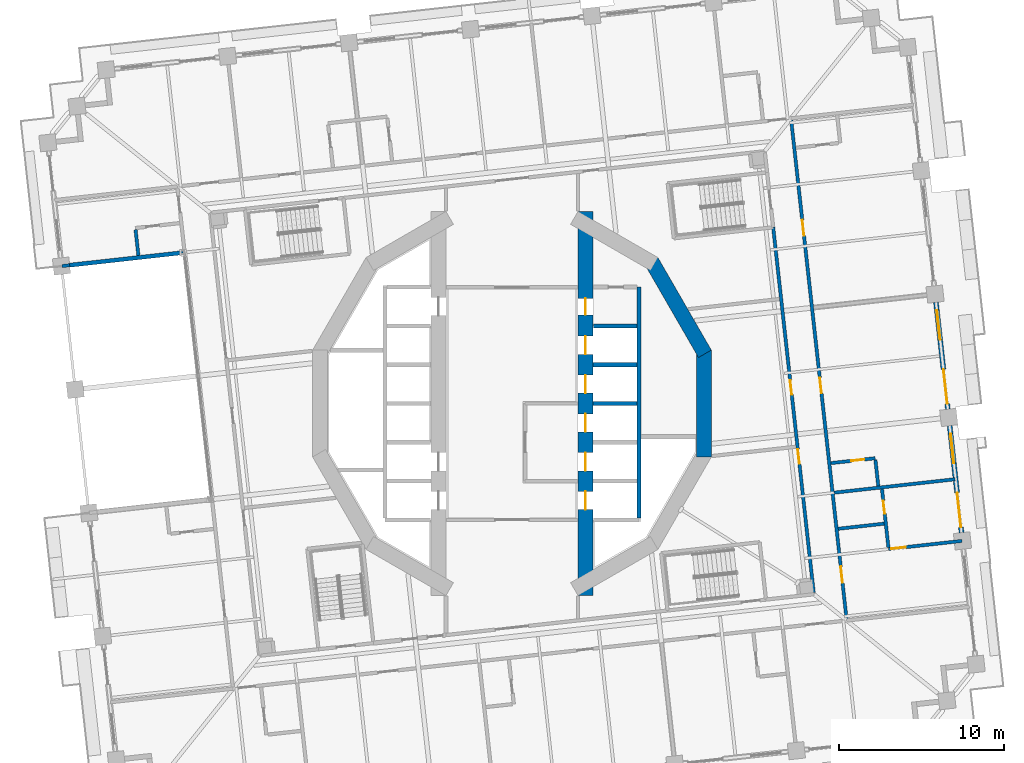
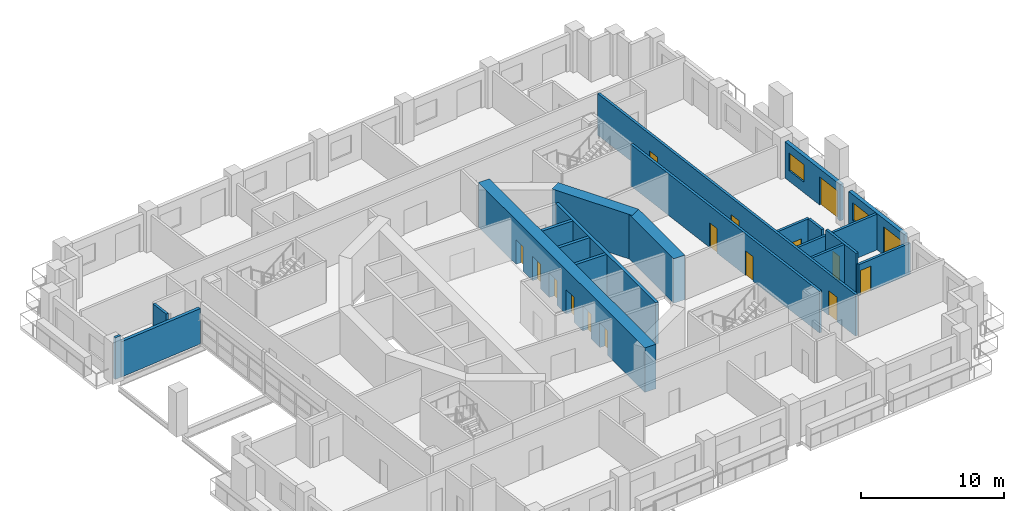
# One storey, part 10 of 21: 20 walls, 16 doors, 2 windows, 18 openings.
"""IFC4 building model written with IfcOpenShell, lengths in metres."""

from ifc_helpers import new_model, si_unit, direction, frame, frame_2d, origin, place, context, subcontext, project, spatial, rectangle, extrude, material, layer, layer_set, type_object, element, fill, save


model = new_model("IFC4")

# Units and contexts
model_context = context("Model", 3, precision=1e-05, world=origin(), true_north=direction((0.0, 1.0)))
body_context = subcontext(model_context, "Body", "Model", "MODEL_VIEW")
ifc_project = project(units=[si_unit("LENGTHUNIT", "METRE"), si_unit("AREAUNIT", "SQUARE_METRE"), si_unit("VOLUMEUNIT", "CUBIC_METRE"), si_unit("PLANEANGLEUNIT", "RADIAN"), si_unit("MASSUNIT", "GRAM", prefix="KILO")], contexts=[model_context])

# Site, building, storey
site_placement = place(None, origin())
site = spatial("IfcSite", under=ifc_project, at=site_placement, CompositionType="ELEMENT")
building_placement = place(site_placement, origin())
building = spatial("IfcBuilding", under=site, at=building_placement, Name="Cantera Rosa Tower", CompositionType="ELEMENT")
storey_placement = place(building_placement, frame((0.0, 0.0, 69.10009765625)))
storey = spatial("IfcBuildingStorey", under=building, at=storey_placement, Name="L14", CompositionType="ELEMENT", Elevation=69.10009765625)

# Wall, openings, doors
ifc_material_1 = material(Name="Gypsum board partition")
ifc_layer_1 = layer(ifc_material_1, 0.199951171875)
ifc_layer_set_1 = layer_set([ifc_layer_1], Name="CORRIDOR WALL 200 H3550")
wall_type_1 = type_object("IfcWallType", Name="CORRIDOR WALL 200 H3550", PredefinedType="PARTITIONING", material=ifc_layer_set_1)
wall_1_placement = place(storey_placement, frame((18.27490234375, -11.453857421875, 0.0), z_axis=(0.0, 0.0, 1.0), x_axis=(-0.110303935969, 0.993897903061, 0.0)))
wall_1 = element("IfcWall", 1, at=wall_1_placement, inside=storey, type_object=wall_type_1, Name="CORRIDOR WALL L14-099", PredefinedType="PARTITIONING", context=body_context, shape_type="SweptSolid", body=[
    extrude(rectangle(XDim=22.26171875, YDim=0.199951171875, at=frame_2d((11.130859375, 0.0))), origin(), (0.0, 0.0, 1.0), 3.5498046875),
])
opening_1_placement = place(wall_1_placement, frame((12.050048828125, 0.0, 0.0)))
opening_1 = element("IfcOpeningElement", 2, at=opening_1_placement, cuts=wall_1, Name="Opening L14-005", PredefinedType="OPENING", context=body_context, shape_type="SweptSolid", body=[
    extrude(rectangle(XDim=0.89990234375, YDim=2.10009765625, at=frame_2d((0.449951171875, 1.050048828125))), frame((0.0, 0.10986328125, 0.0), z_axis=(0.0, -1.0, 0.0), x_axis=(1.0, 0.0, 0.0)), (0.0, 0.0, 1.0), 0.219970703125),
])
opening_2_placement = place(wall_1_placement, frame((7.842529296875, 0.0, 0.0)))
opening_2 = element("IfcOpeningElement", 3, at=opening_2_placement, cuts=wall_1, Name="Opening L14-011", PredefinedType="OPENING", context=body_context, shape_type="SweptSolid", body=[
    extrude(rectangle(XDim=0.89990234375, YDim=2.10009765625, at=frame_2d((0.449951171875, 1.050048828125))), frame((0.0, 0.10986328125, 0.0), z_axis=(0.0, -1.0, 0.0), x_axis=(1.0, 0.0, 0.0)), (0.0, 0.0, 1.0), 0.219970703125),
])
ifc_material_2 = material(Name="Timber door leaf", Category="wood")
door_type_1 = type_object("IfcDoorType", Name="SERVICE DOOR 900x2100", OperationType="NOTDEFINED", PredefinedType="DOOR", material=ifc_material_2)
door_1_placement = place(opening_1_placement, origin())
door_1 = element("IfcDoor", 4, at=door_1_placement, inside=storey, type_object=door_type_1, Name="DOOR L14-005", OperationType="NOTDEFINED", OverallHeight=2.10009765625, OverallWidth=0.89990234375, PredefinedType="DOOR", context=body_context, shape_type="SweptSolid", body=[
    extrude(rectangle(XDim=0.89990234375, YDim=2.10009765625, at=frame_2d((0.449951171875, 1.050048828125))), frame((0.0, 0.02490234375, 0.0), z_axis=(0.0, -1.0, 0.0), x_axis=(1.0, 0.0, 0.0)), (0.0, 0.0, 1.0), 0.050048828125),
])
fill(opening_1, door_1)
door_2_placement = place(opening_2_placement, origin())
door_2 = element("IfcDoor", 5, at=door_2_placement, inside=storey, type_object=door_type_1, Name="DOOR L14-011", OperationType="NOTDEFINED", OverallHeight=2.10009765625, OverallWidth=0.89990234375, PredefinedType="DOOR", context=body_context, shape_type="SweptSolid", body=[
    extrude(rectangle(XDim=0.89990234375, YDim=2.10009765625, at=frame_2d((0.449951171875, 1.050048828125))), frame((0.0, 0.02490234375, 0.0), z_axis=(0.0, -1.0, 0.0), x_axis=(1.0, 0.0, 0.0)), (0.0, 0.0, 1.0), 0.050048828125),
])
fill(opening_2, door_2)

wall_2_placement = place(storey_placement, frame((20.2626953125, -13.04443359375, 0.0), z_axis=(0.0, 0.0, 1.0), x_axis=(-0.110312530755, 0.993896949164, 0.0)))
wall_2 = element("IfcWall", 6, at=wall_2_placement, inside=storey, type_object=wall_type_1, Name="CORRIDOR WALL L14-104", PredefinedType="PARTITIONING", context=body_context, shape_type="SweptSolid", body=[
    extrude(rectangle(XDim=30.400146484375, YDim=0.199951171875, at=frame_2d((15.2001953125, 0.0))), origin(), (0.0, 0.0, 1.0), 3.5498046875),
])
opening_3_placement = place(wall_2_placement, frame((2.18994140625, 0.0, 0.0)))
opening_3 = element("IfcOpeningElement", 7, at=opening_3_placement, cuts=wall_2, Name="Opening L14-018", PredefinedType="OPENING", context=body_context, shape_type="SweptSolid", body=[
    extrude(rectangle(XDim=1.0, YDim=2.10009765625, at=frame_2d((0.5, 1.050048828125))), frame((0.0, 0.10986328125, 0.0), z_axis=(0.0, -1.0, 0.0), x_axis=(1.0, 0.0, 0.0)), (0.0, 0.0, 1.0), 0.219970703125),
])
opening_4_placement = place(wall_2_placement, frame((13.7451171875, 0.0, 0.0)))
opening_4 = element("IfcOpeningElement", 8, at=opening_4_placement, cuts=wall_2, Name="Opening L14-021", PredefinedType="OPENING", context=body_context, shape_type="SweptSolid", body=[
    extrude(rectangle(XDim=0.949951171875, YDim=2.10009765625, at=frame_2d((0.47509765625, 1.050048828125))), frame((0.0, 0.10986328125, 0.0), z_axis=(0.0, -1.0, 0.0), x_axis=(1.0, 0.0, 0.0)), (0.0, 0.0, 1.0), 0.219970703125),
])
opening_5_placement = place(wall_2_placement, frame((23.35498046875, 0.0, 0.0)))
opening_5 = element("IfcOpeningElement", 9, at=opening_5_placement, cuts=wall_2, Name="Opening L14-023", PredefinedType="OPENING", context=body_context, shape_type="SweptSolid", body=[
    extrude(rectangle(XDim=0.949951171875, YDim=2.10009765625, at=frame_2d((0.47509765625, 1.050048828125))), frame((0.0, 0.10986328125, 0.0), z_axis=(0.0, -1.0, 0.0), x_axis=(1.0, 0.0, 0.0)), (0.0, 0.0, 1.0), 0.219970703125),
])
ifc_material_3 = material(Name="Timber door leaf", Category="wood")
door_type_2 = type_object("IfcDoorType", Name="ENTRANCE DOOR 1000x2100", OperationType="NOTDEFINED", PredefinedType="DOOR", material=ifc_material_3)
door_3_placement = place(opening_3_placement, origin())
door_3 = element("IfcDoor", 10, at=door_3_placement, inside=storey, type_object=door_type_2, Name="DOOR L14-018", OperationType="NOTDEFINED", OverallHeight=2.10009765625, OverallWidth=1.0, PredefinedType="DOOR", context=body_context, shape_type="SweptSolid", body=[
    extrude(rectangle(XDim=1.0, YDim=2.10009765625, at=frame_2d((0.5, 1.050048828125))), frame((0.0, 0.02490234375, 0.0), z_axis=(0.0, -1.0, 0.0), x_axis=(1.0, 0.0, 0.0)), (0.0, 0.0, 1.0), 0.050048828125),
])
fill(opening_3, door_3)
ifc_material_4 = material(Name="Timber door leaf", Category="wood")
door_type_3 = type_object("IfcDoorType", Name="ROOM DOOR 950x2100", OperationType="NOTDEFINED", PredefinedType="DOOR", material=ifc_material_4)
door_4_placement = place(opening_4_placement, origin())
door_4 = element("IfcDoor", 11, at=door_4_placement, inside=storey, type_object=door_type_3, Name="DOOR L14-021", OperationType="NOTDEFINED", OverallHeight=2.10009765625, OverallWidth=0.949951171875, PredefinedType="DOOR", context=body_context, shape_type="SweptSolid", body=[
    extrude(rectangle(XDim=0.949951171875, YDim=2.10009765625, at=frame_2d((0.47509765625, 1.050048828125))), frame((0.0, 0.02490234375, 0.0), z_axis=(0.0, -1.0, 0.0), x_axis=(1.0, 0.0, 0.0)), (0.0, 0.0, 1.0), 0.050048828125),
])
fill(opening_4, door_4)
door_5_placement = place(opening_5_placement, origin())
door_5 = element("IfcDoor", 12, at=door_5_placement, inside=storey, type_object=door_type_3, Name="DOOR L14-023", OperationType="NOTDEFINED", OverallHeight=2.10009765625, OverallWidth=0.949951171875, PredefinedType="DOOR", context=body_context, shape_type="SweptSolid", body=[
    extrude(rectangle(XDim=0.949951171875, YDim=2.10009765625, at=frame_2d((0.47509765625, 1.050048828125))), frame((0.0, 0.02490234375, 0.0), z_axis=(0.0, -1.0, 0.0), x_axis=(1.0, 0.0, 0.0)), (0.0, 0.0, 1.0), 0.050048828125),
])
fill(opening_5, door_5)

# Wall, openings, window, door
ifc_material_5 = material(Name="Hollow clay masonry with cantera stone cladding", Category="masonry")
ifc_layer_2 = layer(ifc_material_5, 0.300048828125)
ifc_layer_set_2 = layer_set([ifc_layer_2], Name="EW-LOGGIA 300 H3090")
wall_type_2 = type_object("IfcWallType", Name="EW-LOGGIA 300 H3090", PredefinedType="SOLIDWALL", material=ifc_layer_set_2)
wall_3_placement = place(storey_placement, frame((27.229248046875, -7.823974609375, 0.0), z_axis=(0.0, 0.0, 1.0), x_axis=(-0.110312341265, 0.993896970196, 0.0)))
wall_3 = element("IfcWall", 13, at=wall_3_placement, inside=storey, type_object=wall_type_2, Name="EN-L14-W02", PredefinedType="SOLIDWALL", context=body_context, shape_type="SweptSolid", body=[
    extrude(rectangle(XDim=6.52001953125, YDim=0.300048828125, at=frame_2d((3.260009765625, 0.0))), origin(), (0.0, 0.0, 1.0), 3.08984375),
])
opening_6_placement = place(wall_3_placement, frame((0.330078125, 0.0, 0.0)))
opening_6 = element("IfcOpeningElement", 14, at=opening_6_placement, cuts=wall_3, Name="Opening L14-TD03", PredefinedType="OPENING", context=body_context, shape_type="SweptSolid", body=[
    extrude(rectangle(XDim=2.10009765625, YDim=2.39990234375, at=frame_2d((1.050048828125, 1.199951171875))), frame((0.0, 0.159912109375, 0.0), z_axis=(0.0, -1.0, 0.0), x_axis=(1.0, 0.0, 0.0)), (0.0, 0.0, 1.0), 0.320068359375),
])
opening_7_placement = place(wall_3_placement, frame((4.239990234375, 0.0, 0.89990234375)))
opening_7 = element("IfcOpeningElement", 15, at=opening_7_placement, cuts=wall_3, Name="Opening L14-W04", PredefinedType="OPENING", context=body_context, shape_type="SweptSolid", body=[
    extrude(rectangle(XDim=1.800048828125, YDim=1.5, at=frame_2d((0.89990234375, 0.75))), frame((0.0, 0.159912109375, 0.0), z_axis=(0.0, -1.0, 0.0), x_axis=(1.0, 0.0, 0.0)), (0.0, 0.0, 1.0), 0.320068359375),
])
ifc_material_6 = material(Name="Aluminium frame with clear glass", Category="aluminium")
window_type = type_object("IfcWindowType", Name="Hotel room window 1800x1500", PartitioningType="DOUBLE_PANEL_VERTICAL", PredefinedType="WINDOW", material=ifc_material_6)
window_1_placement = place(opening_7_placement, origin())
window_1 = element("IfcWindow", 16, at=window_1_placement, inside=storey, type_object=window_type, Name="WINDOW L14-W04", OverallHeight=1.5, OverallWidth=1.800048828125, PartitioningType="SINGLE_PANEL", PredefinedType="WINDOW", context=body_context, shape_type="SweptSolid", body=[
    extrude(rectangle(XDim=1.800048828125, YDim=1.5, at=frame_2d((0.89990234375, 0.75))), frame((0.0, 0.030029296875, 0.0), z_axis=(0.0, -1.0, 0.0), x_axis=(1.0, 0.0, 0.0)), (0.0, 0.0, 1.0), 0.06005859375),
])
fill(opening_7, window_1)
ifc_material_7 = material(Name="Aluminium frame with clear glass", Category="aluminium")
door_type_4 = type_object("IfcDoorType", Name="TD-H 2100x2400", OperationType="NOTDEFINED", PredefinedType="DOOR", material=ifc_material_7)
door_6_placement = place(opening_6_placement, origin())
door_6 = element("IfcDoor", 17, at=door_6_placement, inside=storey, type_object=door_type_4, Name="LOGGIA DOOR L14-TD03", OperationType="SLIDING_TO_LEFT", OverallHeight=2.39990234375, OverallWidth=2.10009765625, PredefinedType="DOOR", context=body_context, shape_type="SweptSolid", body=[
    extrude(rectangle(XDim=2.10009765625, YDim=2.39990234375, at=frame_2d((1.050048828125, 1.199951171875))), frame((0.0, 0.02490234375, 0.0), z_axis=(0.0, -1.0, 0.0), x_axis=(1.0, 0.0, 0.0)), (0.0, 0.0, 1.0), 0.050048828125),
])
fill(opening_6, door_6)

wall_4_placement = place(storey_placement, frame((26.399658203125, -0.349853515625, 0.0), z_axis=(0.0, 0.0, 1.0), x_axis=(-0.110312341265, 0.993896970196, 0.0)))
wall_4 = element("IfcWall", 18, at=wall_4_placement, inside=storey, type_object=wall_type_2, Name="EN-L14-W03", PredefinedType="SOLIDWALL", context=body_context, shape_type="SweptSolid", body=[
    extrude(rectangle(XDim=6.52001953125, YDim=0.300048828125, at=frame_2d((3.260009765625, 0.0))), origin(), (0.0, 0.0, 1.0), 3.08984375),
])
opening_8_placement = place(wall_4_placement, frame((0.330078125, 0.0, 0.0)))
opening_8 = element("IfcOpeningElement", 19, at=opening_8_placement, cuts=wall_4, Name="Opening L14-TD05", PredefinedType="OPENING", context=body_context, shape_type="SweptSolid", body=[
    extrude(rectangle(XDim=2.10009765625, YDim=2.39990234375, at=frame_2d((1.050048828125, 1.199951171875))), frame((0.0, 0.159912109375, 0.0), z_axis=(0.0, -1.0, 0.0), x_axis=(1.0, 0.0, 0.0)), (0.0, 0.0, 1.0), 0.320068359375),
])
opening_9_placement = place(wall_4_placement, frame((4.239990234375, 0.0, 0.89990234375)))
opening_9 = element("IfcOpeningElement", 20, at=opening_9_placement, cuts=wall_4, Name="Opening L14-W06", PredefinedType="OPENING", context=body_context, shape_type="SweptSolid", body=[
    extrude(rectangle(XDim=1.800048828125, YDim=1.5, at=frame_2d((0.89990234375, 0.75))), frame((0.0, 0.159912109375, 0.0), z_axis=(0.0, -1.0, 0.0), x_axis=(1.0, 0.0, 0.0)), (0.0, 0.0, 1.0), 0.320068359375),
])
window_2_placement = place(opening_9_placement, origin())
window_2 = element("IfcWindow", 21, at=window_2_placement, inside=storey, type_object=window_type, Name="WINDOW L14-W06", OverallHeight=1.5, OverallWidth=1.800048828125, PartitioningType="SINGLE_PANEL", PredefinedType="WINDOW", context=body_context, shape_type="SweptSolid", body=[
    extrude(rectangle(XDim=1.800048828125, YDim=1.5, at=frame_2d((0.89990234375, 0.75))), frame((0.0, 0.030029296875, 0.0), z_axis=(0.0, -1.0, 0.0), x_axis=(1.0, 0.0, 0.0)), (0.0, 0.0, 1.0), 0.06005859375),
])
fill(opening_9, window_2)
door_7_placement = place(opening_8_placement, origin())
door_7 = element("IfcDoor", 22, at=door_7_placement, inside=storey, type_object=door_type_4, Name="LOGGIA DOOR L14-TD05", OperationType="SLIDING_TO_LEFT", OverallHeight=2.39990234375, OverallWidth=2.10009765625, PredefinedType="DOOR", context=body_context, shape_type="SweptSolid", body=[
    extrude(rectangle(XDim=2.10009765625, YDim=2.39990234375, at=frame_2d((1.050048828125, 1.199951171875))), frame((0.0, 0.02490234375, 0.0), z_axis=(0.0, -1.0, 0.0), x_axis=(1.0, 0.0, 0.0)), (0.0, 0.0, 1.0), 0.050048828125),
])
fill(opening_8, door_7)

# Wall
ifc_material_8 = material(Name="Concrete C40/50", Category="concrete")
ifc_layer_3 = layer(ifc_material_8, 0.25)
ifc_layer_set_3 = layer_set([ifc_layer_3], Name="EW-POCKET CHEEK 250 H3020")
wall_type_3 = type_object("IfcWallType", Name="EW-POCKET CHEEK 250 H3020", PredefinedType="SOLIDWALL", material=ifc_layer_set_3)
wall_5_placement = place(storey_placement, frame((-26.78759765625, 8.376220703125, 0.0), z_axis=(0.0, 0.0, 1.0), x_axis=(0.993899689646, 0.11028783669, 0.0)))
element("IfcWall", 23, at=wall_5_placement, inside=storey, type_object=wall_type_3, Name="POCKET CHEEK A L14", PredefinedType="SOLIDWALL", context=body_context, shape_type="SweptSolid", body=[
    extrude(rectangle(XDim=6.89990234375, YDim=0.25, at=frame_2d((3.449951171875, 0.0))), origin(), (0.0, 0.0, 1.0), 3.02001953125),
])

# Wall, opening, door
ifc_material_9 = material(Name="Gypsum board partition")
ifc_layer_4 = layer(ifc_material_9, 0.199951171875)
ifc_layer_set_4 = layer_set([ifc_layer_4], Name="PARTITION 200 H2650")
wall_type_4 = type_object("IfcWallType", Name="PARTITION 200 H2650", PredefinedType="PARTITIONING", material=ifc_layer_set_4)
wall_6_placement = place(storey_placement, frame((27.254638671875, -8.32421875, 0.0), z_axis=(0.0, 0.0, 1.0), x_axis=(-0.993895052822, -0.11032961514, 0.0)))
wall_6 = element("IfcWall", 24, at=wall_6_placement, inside=storey, type_object=wall_type_4, Name="PARTITION L14-108", PredefinedType="PARTITIONING", context=body_context, shape_type="SweptSolid", body=[
    extrude(rectangle(XDim=4.469970703125, YDim=0.199951171875, at=frame_2d((2.23486328125, 0.0))), origin(), (0.0, 0.0, 1.0), 2.64990234375),
])
opening_10_placement = place(wall_6_placement, frame((3.419921875, 0.0, 0.0)))
opening_10 = element("IfcOpeningElement", 25, at=opening_10_placement, cuts=wall_6, Name="Opening L14-019", PredefinedType="OPENING", context=body_context, shape_type="SweptSolid", body=[
    extrude(rectangle(XDim=0.89990234375, YDim=2.10009765625, at=frame_2d((0.449951171875, 1.050048828125))), frame((0.0, 0.10986328125, 0.0), z_axis=(0.0, -1.0, 0.0), x_axis=(1.0, 0.0, 0.0)), (0.0, 0.0, 1.0), 0.219970703125),
])
ifc_material_10 = material(Name="Timber door leaf", Category="wood")
door_type_5 = type_object("IfcDoorType", Name="ROOM DOOR 900x2100", OperationType="NOTDEFINED", PredefinedType="DOOR", material=ifc_material_10)
door_8_placement = place(opening_10_placement, origin())
door_8 = element("IfcDoor", 26, at=door_8_placement, inside=storey, type_object=door_type_5, Name="DOOR L14-019", OperationType="NOTDEFINED", OverallHeight=2.10009765625, OverallWidth=0.89990234375, PredefinedType="DOOR", context=body_context, shape_type="SweptSolid", body=[
    extrude(rectangle(XDim=0.89990234375, YDim=2.10009765625, at=frame_2d((0.449951171875, 1.050048828125))), frame((0.0, 0.02490234375, 0.0), z_axis=(0.0, -1.0, 0.0), x_axis=(1.0, 0.0, 0.0)), (0.0, 0.0, 1.0), 0.050048828125),
])
fill(opening_10, door_8)

# Walls
ifc_material_11 = material(Name="Gypsum board partition")
ifc_layer_5 = layer(ifc_material_11, 0.199951171875)
ifc_layer_set_5 = layer_set([ifc_layer_5], Name="PARTITION 200 H3550")
wall_type_5 = type_object("IfcWallType", Name="PARTITION 200 H3550", PredefinedType="PARTITIONING", material=ifc_layer_set_5)
wall_7_placement = place(storey_placement, frame((-22.6279296875, 8.9736328125, 0.0), z_axis=(0.0, 0.0, 1.0), x_axis=(-0.110294546254, 0.993898945098, 0.0)))
element("IfcWall", 27, at=wall_7_placement, inside=storey, type_object=wall_type_5, Name="PARTITION L14-004", PredefinedType="PARTITIONING", context=body_context, shape_type="SweptSolid", body=[
    extrude(rectangle(XDim=1.56494140625, YDim=0.199951171875, at=frame_2d((0.782470703125, 0.0))), origin(), (0.0, 0.0, 1.0), 3.5498046875),
])
wall_8_placement = place(storey_placement, frame((-26.78759765625, 8.376220703125, 0.0), z_axis=(0.0, 0.0, 1.0), x_axis=(-0.99385836564, -0.110659608929, 0.0)))
element("IfcWall", 28, at=wall_8_placement, inside=storey, type_object=wall_type_5, Name="PARTITION L14-010", PredefinedType="PARTITIONING", context=body_context, shape_type="SweptSolid", body=[
    extrude(rectangle(XDim=0.469970703125, YDim=0.199951171875, at=frame_2d((0.23486328125, 0.0))), origin(), (0.0, 0.0, 1.0), 3.5498046875),
])

# Wall, opening, door
wall_9_placement = place(storey_placement, frame((19.31640625, -3.611083984375, 0.0), z_axis=(0.0, 0.0, 1.0), x_axis=(0.993905770718, 0.110233021063, 0.0)))
wall_9 = element("IfcWall", 29, at=wall_9_placement, inside=storey, type_object=wall_type_5, Name="PARTITION L14-100", PredefinedType="PARTITIONING", context=body_context, shape_type="SweptSolid", body=[
    extrude(rectangle(XDim=2.69970703125, YDim=0.199951171875, at=frame_2d((1.349853515625, 0.0))), origin(), (0.0, 0.0, 1.0), 3.5498046875),
])
opening_11_placement = place(wall_9_placement, frame((1.236083984375, 0.0, 0.0)))
opening_11 = element("IfcOpeningElement", 30, at=opening_11_placement, cuts=wall_9, Name="Opening L14-022", PredefinedType="OPENING", context=body_context, shape_type="SweptSolid", body=[
    extrude(rectangle(XDim=0.800048828125, YDim=2.10009765625, at=frame_2d((0.39990234375, 1.050048828125))), frame((0.0, 0.10986328125, 0.0), z_axis=(0.0, -1.0, 0.0), x_axis=(1.0, 0.0, 0.0)), (0.0, 0.0, 1.0), 0.219970703125),
])
ifc_material_12 = material(Name="Timber door leaf", Category="wood")
door_type_6 = type_object("IfcDoorType", Name="BATHROOM DOOR 800x2100", OperationType="NOTDEFINED", PredefinedType="DOOR", material=ifc_material_12)
door_9_placement = place(opening_11_placement, origin())
door_9 = element("IfcDoor", 31, at=door_9_placement, inside=storey, type_object=door_type_6, Name="DOOR L14-022", OperationType="NOTDEFINED", OverallHeight=2.10009765625, OverallWidth=0.800048828125, PredefinedType="DOOR", context=body_context, shape_type="SweptSolid", body=[
    extrude(rectangle(XDim=0.800048828125, YDim=2.10009765625, at=frame_2d((0.39990234375, 1.050048828125))), frame((0.0, 0.02490234375, 0.0), z_axis=(0.0, -1.0, 0.0), x_axis=(1.0, 0.0, 0.0)), (0.0, 0.0, 1.0), 0.050048828125),
])
fill(opening_11, door_9)

# Walls
wall_10_placement = place(storey_placement, frame((22.0107421875, -3.412841796875, 0.0), z_axis=(0.0, 0.0, 1.0), x_axis=(0.110331031706, -0.993894895571, 0.0)))
element("IfcWall", 32, at=wall_10_placement, inside=storey, type_object=wall_type_5, Name="PARTITION L14-105", PredefinedType="PARTITIONING", context=body_context, shape_type="SweptSolid", body=[
    extrude(rectangle(XDim=1.599853515625, YDim=0.199951171875, at=frame_2d((0.7998046875, 0.0))), origin(), (0.0, 0.0, 1.0), 3.5498046875),
])
wall_11_placement = place(storey_placement, frame((22.540283203125, -7.27783203125, 0.0), z_axis=(0.0, 0.0, 1.0), x_axis=(-0.99388798752, -0.110393243744, 0.0)))
element("IfcWall", 33, at=wall_11_placement, inside=storey, type_object=wall_type_5, Name="PARTITION L14-106", PredefinedType="PARTITIONING", context=body_context, shape_type="SweptSolid", body=[
    extrude(rectangle(XDim=2.7998046875, YDim=0.199951171875, at=frame_2d((1.39990234375, 0.0))), origin(), (0.0, 0.0, 1.0), 3.5498046875),
])

# Wall, opening, door
wall_12_placement = place(storey_placement, frame((22.80078125, -8.718017578125, 0.0), z_axis=(0.0, 0.0, 1.0), x_axis=(-0.110273460699, 0.993901284769, 0.0)))
wall_12 = element("IfcWall", 34, at=wall_12_placement, inside=storey, type_object=wall_type_5, Name="PARTITION L14-107", PredefinedType="PARTITIONING", context=body_context, shape_type="SweptSolid", body=[
    extrude(rectangle(XDim=3.56005859375, YDim=0.199951171875, at=frame_2d((1.780029296875, 0.0))), origin(), (0.0, 0.0, 1.0), 3.5498046875),
])
opening_12_placement = place(wall_12_placement, frame((2.050048828125, 0.0, 0.0)))
opening_12 = element("IfcOpeningElement", 35, at=opening_12_placement, cuts=wall_12, Name="Opening L14-020", PredefinedType="OPENING", context=body_context, shape_type="SweptSolid", body=[
    extrude(rectangle(XDim=0.800048828125, YDim=2.10009765625, at=frame_2d((0.39990234375, 1.050048828125))), frame((0.0, 0.10986328125, 0.0), z_axis=(0.0, -1.0, 0.0), x_axis=(1.0, 0.0, 0.0)), (0.0, 0.0, 1.0), 0.219970703125),
])
door_10_placement = place(opening_12_placement, origin())
door_10 = element("IfcDoor", 36, at=door_10_placement, inside=storey, type_object=door_type_6, Name="DOOR L14-020", OperationType="NOTDEFINED", OverallHeight=2.10009765625, OverallWidth=0.800048828125, PredefinedType="DOOR", context=body_context, shape_type="SweptSolid", body=[
    extrude(rectangle(XDim=0.800048828125, YDim=2.10009765625, at=frame_2d((0.39990234375, 1.050048828125))), frame((0.0, 0.02490234375, 0.0), z_axis=(0.0, -1.0, 0.0), x_axis=(1.0, 0.0, 0.0)), (0.0, 0.0, 1.0), 0.050048828125),
])
fill(opening_12, door_10)

# Walls
ifc_material_13 = material(Name="Gypsum board partition")
ifc_layer_6 = layer(ifc_material_13, 0.199951171875)
ifc_layer_set_6 = layer_set([ifc_layer_6], Name="PARTY WALL 200 H3050")
wall_type_6 = type_object("IfcWallType", Name="PARTY WALL 200 H3050", PredefinedType="PARTITIONING", material=ifc_layer_set_6)
wall_13_placement = place(storey_placement, frame((19.514892578125, -5.400146484375, 0.0), z_axis=(0.0, 0.0, 1.0), x_axis=(0.993897058864, 0.11031154238, 0.0)))
element("IfcWall", 37, at=wall_13_placement, inside=storey, type_object=wall_type_6, Name="PARTY WALL L14-101", PredefinedType="PARTITIONING", context=body_context, shape_type="SweptSolid", body=[
    extrude(rectangle(XDim=7.369873046875, YDim=0.199951171875, at=frame_2d((3.68505859375, 0.0))), origin(), (0.0, 0.0, 1.0), 3.0498046875),
])
ifc_material_14 = material(Name="Concrete C70/85", Category="concrete")
ifc_layer_7 = layer(ifc_material_14, 0.89990234375)
ifc_layer_set_7 = layer_set([ifc_layer_7], Name="RC CORE WALL 900 C70/85")
wall_type_7 = type_object("IfcWallType", Name="RC CORE WALL 900 C70/85", PredefinedType="SHEAR", material=ifc_layer_set_7)
wall_14_placement = place(storey_placement, frame((8.44921875, 8.61376953125, 0.0), z_axis=(0.0, 0.0, 1.0), x_axis=(0.499990282633, -0.866031014036, 0.0)))
element("IfcWall", 38, at=wall_14_placement, inside=storey, type_object=wall_type_7, Name="CW-E2 L14", PredefinedType="SHEAR", context=body_context, shape_type="SweptSolid", body=[
    extrude(rectangle(XDim=6.470458984375, YDim=0.89990234375, at=frame_2d((3.2353515625, 0.0))), origin(), (0.0, 0.0, 1.0), 3.7998046875),
])
wall_15_placement = place(storey_placement, frame((11.6240234375, 3.2353515625, 0.0), z_axis=(0.0, 0.0, 1.0), x_axis=(0.0, -1.0, 0.0)))
element("IfcWall", 39, at=wall_15_placement, inside=storey, type_object=wall_type_7, Name="CW-E3 L14", PredefinedType="SHEAR", context=body_context, shape_type="SweptSolid", body=[
    extrude(rectangle(XDim=6.470703125, YDim=0.89990234375, at=frame_2d((3.2353515625, 0.0))), origin(), (0.0, 0.0, 1.0), 3.7998046875),
])

# Wall, openings, doors
wall_16_placement = place(storey_placement, frame((4.449951171875, -11.632568359375, 0.0), z_axis=(0.0, 0.0, 1.0), x_axis=(0.0, 1.0, 0.0)))
wall_16 = element("IfcWall", 40, at=wall_16_placement, inside=storey, type_object=wall_type_7, Name="CW-E6 L14", PredefinedType="SHEAR", context=body_context, shape_type="SweptSolid", body=[
    extrude(rectangle(XDim=23.26513671875, YDim=0.89990234375, at=frame_2d((11.632568359375, 0.0))), origin(), (0.0, 0.0, 1.0), 3.7998046875),
])
opening_13_placement = place(wall_16_placement, frame((7.5576171875, 0.0, 0.0)))
opening_13 = element("IfcOpeningElement", 41, at=opening_13_placement, cuts=wall_16, Name="Opening LD-FF1-L14", PredefinedType="OPENING", context=body_context, shape_type="SweptSolid", body=[
    extrude(rectangle(XDim=1.10009765625, YDim=2.10009765625, at=frame_2d((0.550048828125, 1.050048828125))), frame((0.0, 0.4599609375, 0.0), z_axis=(0.0, -1.0, 0.0), x_axis=(1.0, 0.0, 0.0)), (0.0, 0.0, 1.0), 0.919921875),
])
opening_14_placement = place(wall_16_placement, frame((9.907470703125, 0.0, 0.0)))
opening_14 = element("IfcOpeningElement", 42, at=opening_14_placement, cuts=wall_16, Name="Opening LD-FF2-L14", PredefinedType="OPENING", context=body_context, shape_type="SweptSolid", body=[
    extrude(rectangle(XDim=1.10009765625, YDim=2.10009765625, at=frame_2d((0.550048828125, 1.050048828125))), frame((0.0, 0.4599609375, 0.0), z_axis=(0.0, -1.0, 0.0), x_axis=(1.0, 0.0, 0.0)), (0.0, 0.0, 1.0), 0.919921875),
])
opening_15_placement = place(wall_16_placement, frame((12.257568359375, 0.0, 0.0)))
opening_15 = element("IfcOpeningElement", 43, at=opening_15_placement, cuts=wall_16, Name="Opening LD-P1-L14", PredefinedType="OPENING", context=body_context, shape_type="SweptSolid", body=[
    extrude(rectangle(XDim=1.10009765625, YDim=2.10009765625, at=frame_2d((0.550048828125, 1.050048828125))), frame((0.0, 0.4599609375, 0.0), z_axis=(0.0, -1.0, 0.0), x_axis=(1.0, 0.0, 0.0)), (0.0, 0.0, 1.0), 0.919921875),
])
opening_16_placement = place(wall_16_placement, frame((14.607421875, 0.0, 0.0)))
opening_16 = element("IfcOpeningElement", 44, at=opening_16_placement, cuts=wall_16, Name="Opening LD-P2-L14", PredefinedType="OPENING", context=body_context, shape_type="SweptSolid", body=[
    extrude(rectangle(XDim=1.10009765625, YDim=2.10009765625, at=frame_2d((0.550048828125, 1.050048828125))), frame((0.0, 0.4599609375, 0.0), z_axis=(0.0, -1.0, 0.0), x_axis=(1.0, 0.0, 0.0)), (0.0, 0.0, 1.0), 0.919921875),
])
opening_17_placement = place(wall_16_placement, frame((5.20751953125, 0.0, 0.0)))
opening_17 = element("IfcOpeningElement", 45, at=opening_17_placement, cuts=wall_16, Name="Opening LD-P6-L14", PredefinedType="OPENING", context=body_context, shape_type="SweptSolid", body=[
    extrude(rectangle(XDim=1.10009765625, YDim=2.10009765625, at=frame_2d((0.550048828125, 1.050048828125))), frame((0.0, 0.4599609375, 0.0), z_axis=(0.0, -1.0, 0.0), x_axis=(1.0, 0.0, 0.0)), (0.0, 0.0, 1.0), 0.919921875),
])
opening_18_placement = place(wall_16_placement, frame((17.007568359375, 0.0, 0.0)))
opening_18 = element("IfcOpeningElement", 46, at=opening_18_placement, cuts=wall_16, Name="Opening SD-L14-17", PredefinedType="OPENING", context=body_context, shape_type="SweptSolid", body=[
    extrude(rectangle(XDim=1.0, YDim=2.10009765625, at=frame_2d((0.5, 1.050048828125))), frame((0.0, 0.4599609375, 0.0), z_axis=(0.0, -1.0, 0.0), x_axis=(1.0, 0.0, 0.0)), (0.0, 0.0, 1.0), 0.919921875),
])
ifc_material_15 = material(Name="Steel S355J2 (EN 10025-2)", Category="steel")
door_type_7 = type_object("IfcDoorType", Name="LANDING DOOR 1100x2100", OperationType="NOTDEFINED", PredefinedType="DOOR", material=ifc_material_15)
door_11_placement = place(opening_13_placement, origin())
door_11 = element("IfcDoor", 47, at=door_11_placement, inside=storey, type_object=door_type_7, Name="LANDING DOOR FF1 L14", OperationType="SLIDING_TO_LEFT", OverallHeight=2.10009765625, OverallWidth=1.10009765625, PredefinedType="DOOR", context=body_context, shape_type="SweptSolid", body=[
    extrude(rectangle(XDim=1.10009765625, YDim=2.10009765625, at=frame_2d((0.550048828125, 1.050048828125))), frame((0.0, 0.02490234375, 0.0), z_axis=(0.0, -1.0, 0.0), x_axis=(1.0, 0.0, 0.0)), (0.0, 0.0, 1.0), 0.050048828125),
])
fill(opening_13, door_11)
door_12_placement = place(opening_14_placement, origin())
door_12 = element("IfcDoor", 48, at=door_12_placement, inside=storey, type_object=door_type_7, Name="LANDING DOOR FF2 L14", OperationType="SLIDING_TO_LEFT", OverallHeight=2.10009765625, OverallWidth=1.10009765625, PredefinedType="DOOR", context=body_context, shape_type="SweptSolid", body=[
    extrude(rectangle(XDim=1.10009765625, YDim=2.10009765625, at=frame_2d((0.550048828125, 1.050048828125))), frame((0.0, 0.02490234375, 0.0), z_axis=(0.0, -1.0, 0.0), x_axis=(1.0, 0.0, 0.0)), (0.0, 0.0, 1.0), 0.050048828125),
])
fill(opening_14, door_12)
door_13_placement = place(opening_15_placement, origin())
door_13 = element("IfcDoor", 49, at=door_13_placement, inside=storey, type_object=door_type_7, Name="LANDING DOOR P1 L14", OperationType="SLIDING_TO_LEFT", OverallHeight=2.10009765625, OverallWidth=1.10009765625, PredefinedType="DOOR", context=body_context, shape_type="SweptSolid", body=[
    extrude(rectangle(XDim=1.10009765625, YDim=2.10009765625, at=frame_2d((0.550048828125, 1.050048828125))), frame((0.0, 0.02490234375, 0.0), z_axis=(0.0, -1.0, 0.0), x_axis=(1.0, 0.0, 0.0)), (0.0, 0.0, 1.0), 0.050048828125),
])
fill(opening_15, door_13)
door_14_placement = place(opening_16_placement, origin())
door_14 = element("IfcDoor", 50, at=door_14_placement, inside=storey, type_object=door_type_7, Name="LANDING DOOR P2 L14", OperationType="SLIDING_TO_LEFT", OverallHeight=2.10009765625, OverallWidth=1.10009765625, PredefinedType="DOOR", context=body_context, shape_type="SweptSolid", body=[
    extrude(rectangle(XDim=1.10009765625, YDim=2.10009765625, at=frame_2d((0.550048828125, 1.050048828125))), frame((0.0, 0.02490234375, 0.0), z_axis=(0.0, -1.0, 0.0), x_axis=(1.0, 0.0, 0.0)), (0.0, 0.0, 1.0), 0.050048828125),
])
fill(opening_16, door_14)
door_15_placement = place(opening_17_placement, origin())
door_15 = element("IfcDoor", 51, at=door_15_placement, inside=storey, type_object=door_type_7, Name="LANDING DOOR P6 L14", OperationType="SLIDING_TO_LEFT", OverallHeight=2.10009765625, OverallWidth=1.10009765625, PredefinedType="DOOR", context=body_context, shape_type="SweptSolid", body=[
    extrude(rectangle(XDim=1.10009765625, YDim=2.10009765625, at=frame_2d((0.550048828125, 1.050048828125))), frame((0.0, 0.02490234375, 0.0), z_axis=(0.0, -1.0, 0.0), x_axis=(1.0, 0.0, 0.0)), (0.0, 0.0, 1.0), 0.050048828125),
])
fill(opening_17, door_15)
ifc_material_16 = material(Name="Timber door leaf", Category="wood")
door_type_8 = type_object("IfcDoorType", Name="SERVICE DOOR 1000x2100", OperationType="NOTDEFINED", PredefinedType="DOOR", material=ifc_material_16)
door_16_placement = place(opening_18_placement, origin())
door_16 = element("IfcDoor", 52, at=door_16_placement, inside=storey, type_object=door_type_8, Name="DOOR L14-SD17", OperationType="NOTDEFINED", OverallHeight=2.10009765625, OverallWidth=1.0, PredefinedType="DOOR", context=body_context, shape_type="SweptSolid", body=[
    extrude(rectangle(XDim=1.0, YDim=2.10009765625, at=frame_2d((0.5, 1.050048828125))), frame((0.0, 0.02490234375, 0.0), z_axis=(0.0, -1.0, 0.0), x_axis=(1.0, 0.0, 0.0)), (0.0, 0.0, 1.0), 0.050048828125),
])
fill(opening_18, door_16)

# Walls
ifc_material_17 = material(Name="Masonry blockwork", Category="masonry")
ifc_layer_8 = layer(ifc_material_17, 0.25)
ifc_layer_set_8 = layer_set([ifc_layer_8], Name="SHAFT WALL 250 H3550")
wall_type_8 = type_object("IfcWallType", Name="SHAFT WALL 250 H3550", PredefinedType="SOLIDWALL", material=ifc_layer_set_8)
wall_17_placement = place(storey_placement, frame((4.89990234375, 0.0, 0.0), z_axis=(0.0, 0.0, 1.0), x_axis=(1.0, 0.0, 0.0)))
element("IfcWall", 53, at=wall_17_placement, inside=storey, type_object=wall_type_8, Name="SHAFT WALL L14-064", PredefinedType="SOLIDWALL", context=body_context, shape_type="SweptSolid", body=[
    extrude(rectangle(XDim=2.675048828125, YDim=0.25, at=frame_2d((1.33740234375, 0.0))), origin(), (0.0, 0.0, 1.0), 3.5498046875),
])
wall_18_placement = place(storey_placement, frame((7.699951171875, -6.929931640625, 0.0), z_axis=(0.0, 0.0, 1.0), x_axis=(0.0, 1.0, 0.0)))
element("IfcWall", 54, at=wall_18_placement, inside=storey, type_object=wall_type_8, Name="SHAFT WALL L14-066", PredefinedType="SOLIDWALL", context=body_context, shape_type="SweptSolid", body=[
    extrude(rectangle(XDim=13.97998046875, YDim=0.25, at=frame_2d((6.989990234375, 0.0))), origin(), (0.0, 0.0, 1.0), 3.5498046875),
])
wall_19_placement = place(storey_placement, frame((7.574951171875, 2.35009765625, 0.0), z_axis=(0.0, 0.0, 1.0), x_axis=(-1.0, 0.0, 0.0)))
element("IfcWall", 55, at=wall_19_placement, inside=storey, type_object=wall_type_8, Name="SHAFT WALL L14-069", PredefinedType="SOLIDWALL", context=body_context, shape_type="SweptSolid", body=[
    extrude(rectangle(XDim=2.675048828125, YDim=0.25, at=frame_2d((1.33740234375, 0.0))), origin(), (0.0, 0.0, 1.0), 3.5498046875),
])
wall_20_placement = place(storey_placement, frame((7.574951171875, 4.699951171875, 0.0), z_axis=(0.0, 0.0, 1.0), x_axis=(-1.0, 0.0, 0.0)))
element("IfcWall", 56, at=wall_20_placement, inside=storey, type_object=wall_type_8, Name="SHAFT WALL L14-070", PredefinedType="SOLIDWALL", context=body_context, shape_type="SweptSolid", body=[
    extrude(rectangle(XDim=2.64501953125, YDim=0.25, at=frame_2d((1.322509765625, 0.0))), origin(), (0.0, 0.0, 1.0), 3.5498046875),
])

save(model, "model.ifc")
